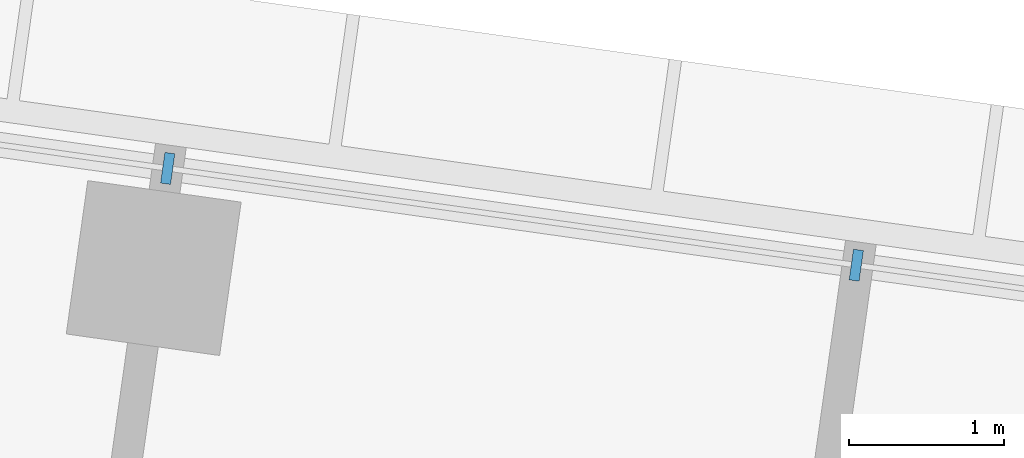
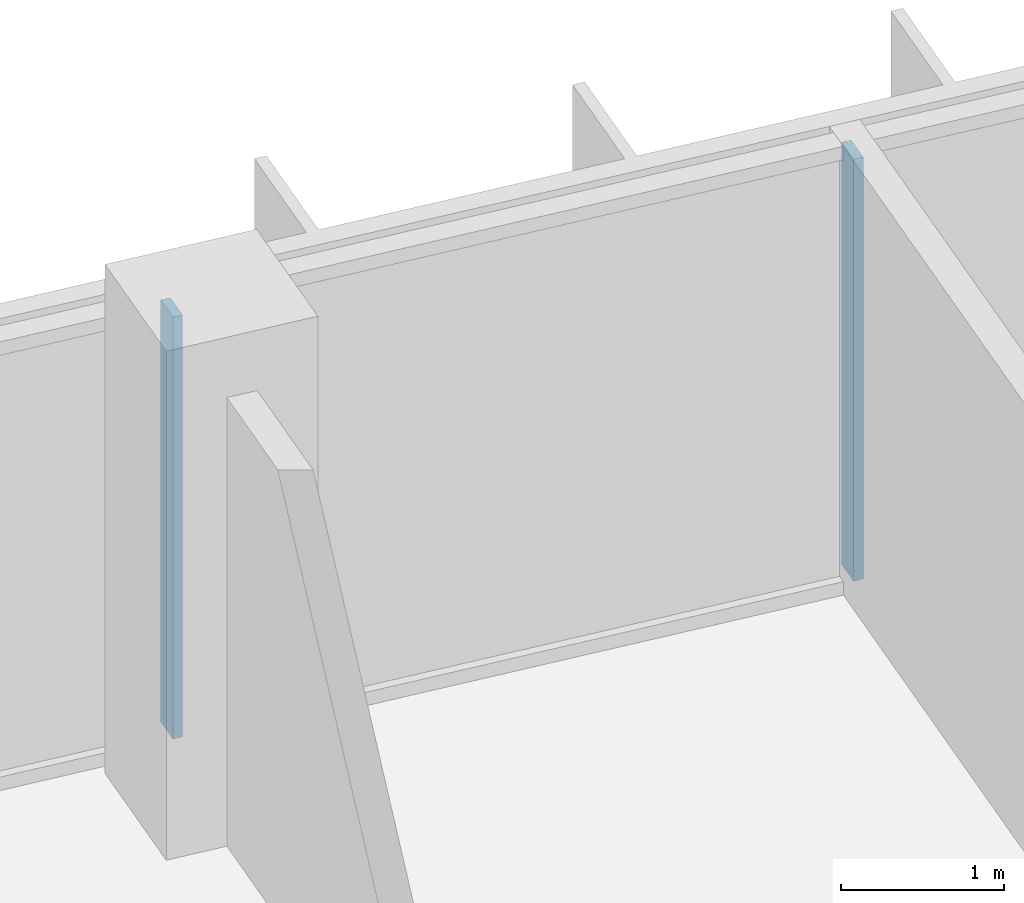
# One storey, part 8 of 46: 2 members, 1 element without a shape of its own.
"""IFC4 building model written with IfcOpenShell, lengths in metres."""

from ifc_helpers import new_model, si_unit, direction, frame, origin, origin_2d, place, context, subcontext, project, spatial, rectangle, extrude, material, material_profile, profile_set, type_object, element, aggregate, save


model = new_model("IFC4")

# Units and contexts
model_context = context("Model", 3, precision=1e-05, world=origin(), true_north=direction((0.0, 1.0)))
body_context = subcontext(model_context, "Body", "Model", "MODEL_VIEW")
ifc_project = project(units=[si_unit("LENGTHUNIT", "METRE"), si_unit("AREAUNIT", "SQUARE_METRE"), si_unit("VOLUMEUNIT", "CUBIC_METRE"), si_unit("PLANEANGLEUNIT", "RADIAN"), si_unit("MASSUNIT", "GRAM", prefix="KILO")], contexts=[model_context])

# Site, building, storey
site_placement = place(None, origin())
site = spatial("IfcSite", under=ifc_project, at=site_placement, CompositionType="ELEMENT")
building_placement = place(site_placement, origin())
building = spatial("IfcBuilding", under=site, at=building_placement, Name="Mirante Cascada Hotel Towers", CompositionType="ELEMENT")
storey_placement = place(building_placement, frame((0.0, 0.0, 39.5)))
storey = spatial("IfcBuildingStorey", under=building, at=storey_placement, Name="L06", CompositionType="ELEMENT", Elevation=39.5)

# Curtain wall, members
ifc_material_1 = material(Name="Aluminium mullion and transom frame with clear laminated glass", Category="aluminium")
curtain_wall_type = type_object("IfcCurtainWallType", Name="Ribbon curtain wall ECW1", PredefinedType="NOTDEFINED", material=ifc_material_1)
curtain_wall_placement = place(storey_placement, origin())
curtain_wall = element("IfcCurtainWall", 1, at=curtain_wall_placement, inside=storey, type_object=curtain_wall_type, Name="Front ribbon wall T1 L06", PredefinedType="NOTDEFINED")
ifc_material_2 = material(Name="Anodised aluminium extrusion", Category="aluminium")
ifc_material_profile = material_profile(ifc_material_2, rectangle(XDim=0.2, YDim=0.065, at=origin_2d()), Name="ECW1 MULLION 65x200")
ifc_profile_set = profile_set([ifc_material_profile], Name="Anodised aluminium extrusion")
member_type = type_object("IfcMemberType", Name="ECW1 mullion 65x200", PredefinedType="MULLION", material=ifc_profile_set)
member_1_placement = place(storey_placement, frame((-63.0262, 21.6768, 0.1), z_axis=(0.0, 0.0, 1.0), x_axis=(0.1391731, 0.9902681, 0.0)))
member_1 = element("IfcMember", 2, at=member_1_placement, type_object=member_type, Name="ECW1 mullion 8", PredefinedType="MULLION", context=body_context, shape_type="SweptSolid", body=[
    extrude(rectangle(XDim=0.2, YDim=0.065, at=origin_2d()), origin(), (0.0, 0.0, 1.0), 3.15),
])
member_2_placement = place(storey_placement, frame((-58.5788, 21.0517, 0.1), z_axis=(0.0, 0.0, 1.0), x_axis=(0.1391731, 0.9902681, 0.0)))
member_2 = element("IfcMember", 3, at=member_2_placement, type_object=member_type, Name="ECW1 mullion 9", PredefinedType="MULLION", context=body_context, shape_type="SweptSolid", body=[
    extrude(rectangle(XDim=0.2, YDim=0.065, at=origin_2d()), origin(), (0.0, 0.0, 1.0), 3.15),
])
aggregate(curtain_wall, [member_1, member_2])

save(model, "model.ifc")
